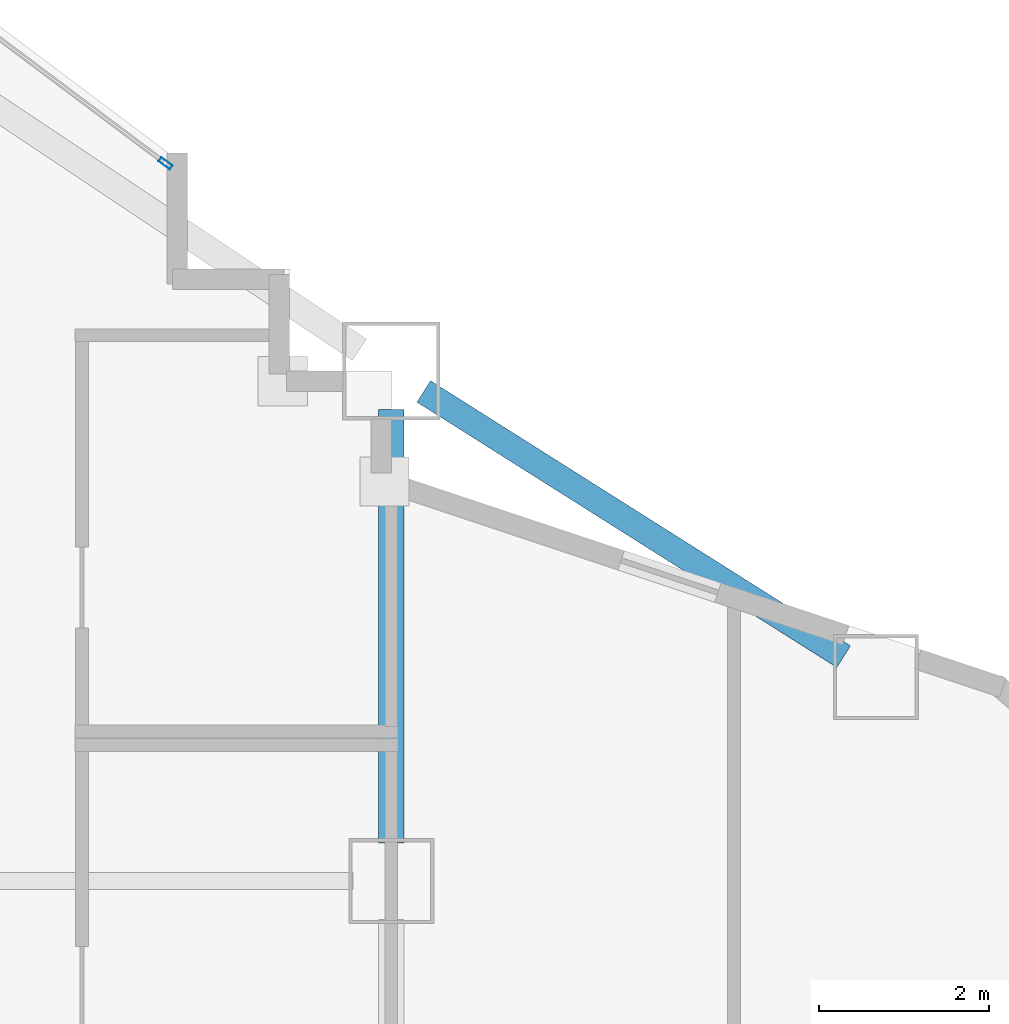
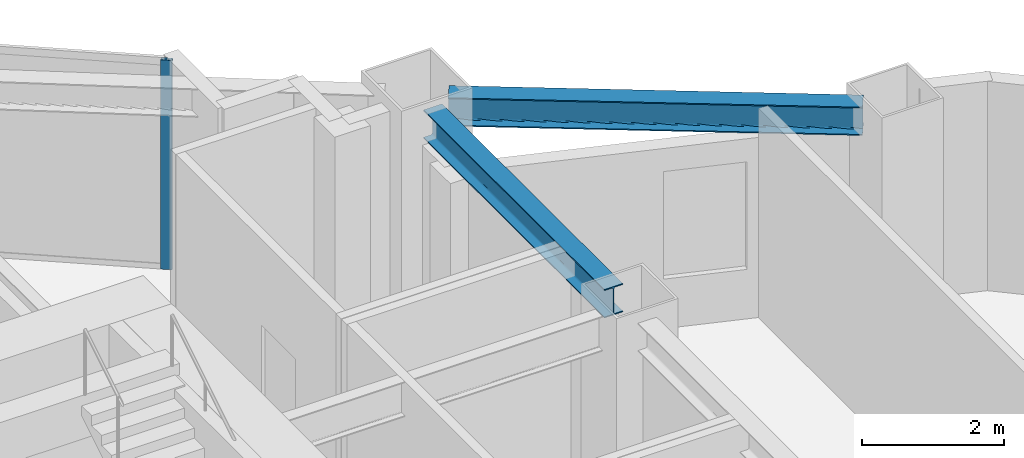
# One storey, part 4 of 18: 2 beams, 1 member, 1 element without a shape of its own.
"""IFC4 building model written with IfcOpenShell, lengths in metres."""

from ifc_helpers import new_model, si_unit, direction, frame, origin, origin_2d, place, context, subcontext, project, spatial, hollow_rectangle, i_section, extrude, material, layer, layer_set, material_profile, profile_set, type_object, element, aggregate, save


model = new_model("IFC4")

# Units and contexts
model_context = context("Model", 3, precision=1e-05, world=origin(), true_north=direction((0.0, 1.0)))
body_context = subcontext(model_context, "Body", "Model", "MODEL_VIEW")
ifc_project = project(units=[si_unit("LENGTHUNIT", "METRE"), si_unit("AREAUNIT", "SQUARE_METRE"), si_unit("VOLUMEUNIT", "CUBIC_METRE"), si_unit("PLANEANGLEUNIT", "RADIAN"), si_unit("MASSUNIT", "GRAM", prefix="KILO")], contexts=[model_context])

# Site, building, storey
site_placement = place(None, origin())
site = spatial("IfcSite", under=ifc_project, at=site_placement, CompositionType="ELEMENT")
building_placement = place(site_placement, origin())
building = spatial("IfcBuilding", under=site, at=building_placement, Name="Haolan Belvedere Tower", CompositionType="ELEMENT")
storey_placement = place(building_placement, frame((0.0, 0.0, 51.39990234375)))
storey = spatial("IfcBuildingStorey", under=building, at=storey_placement, Name="L12", CompositionType="ELEMENT", Elevation=51.39990234375)

# Beams
ifc_material_1 = material(Name="Steel Q355B", Category="steel")
ifc_material_profile_1 = material_profile(ifc_material_1, i_section(OverallWidth=0.300048828125, OverallDepth=0.488037109375, WebThickness=0.010986328125, FlangeThickness=0.01806640625, FilletRadius=0.02587890625, at=origin_2d()), Name="Steel Q355B")
ifc_profile_set_1 = profile_set([ifc_material_profile_1], Name="Steel Q355B")
beam_type = type_object("IfcBeamType", Name="BM-HM488x300x11x18", PredefinedType="SPANDREL", material=ifc_profile_set_1)
beam_1_placement = place(storey_placement, frame((52.800048828125, 40.050048828125, 3.356201171875), z_axis=(0.0, 1.0, 0.0), x_axis=(-1.0, 0.0, 0.0)))
element("IfcBeam", 1, at=beam_1_placement, inside=storey, type_object=beam_type, Name="L12 spandrel girder TC-T3-E2-MC-T3-NE", PredefinedType="SPANDREL", context=body_context, shape_type="SweptSolid", body=[
    extrude(i_section(OverallWidth=0.300048828125, OverallDepth=0.488037109375, WebThickness=0.010986328125, FlangeThickness=0.01806640625, FilletRadius=0.02587890625, at=origin_2d()), origin(), (0.0, 0.0, 1.0), 5.099853515625),
])
beam_2_placement = place(storey_placement, frame((53.180419921875, 45.359619140625, 3.356201171875), z_axis=(0.845497840649, -0.533978839898, 0.0), x_axis=(0.533978839898, 0.845497840649, 0.0)))
element("IfcBeam", 2, at=beam_2_placement, inside=storey, type_object=beam_type, Name="L12 spandrel girder MC-T3-NE-TC-T4-N1", PredefinedType="SPANDREL", context=body_context, shape_type="SweptSolid", body=[
    extrude(i_section(OverallWidth=0.300048828125, OverallDepth=0.488037109375, WebThickness=0.010986328125, FlangeThickness=0.01806640625, FilletRadius=0.02587890625, at=origin_2d()), origin(), (0.0, 0.0, 1.0), 5.841796875),
])

# Curtain wall, member
ifc_material_2 = material(Name="Anodised champagne-silver aluminium 6063-T6 and Low-E glass", Category="aluminium")
ifc_layer = layer(ifc_material_2, 0.1650390625, Name="Anodised champagne-silver aluminium 6063-T6 and Low-E glass")
ifc_layer_set = layer_set([ifc_layer], Name="Anodised champagne-silver aluminium 6063-T6 and Low-E glass")
curtain_wall_type = type_object("IfcCurtainWallType", Name="CW-SYS-02", PredefinedType="NOTDEFINED", material=ifc_layer_set)
curtain_wall_placement = place(storey_placement, origin())
curtain_wall = element("IfcCurtainWall", 3, at=curtain_wall_placement, inside=storey, type_object=curtain_wall_type, Name="L12 CW-SYS-02 ribbon curtain wall 41.1", PredefinedType="NOTDEFINED")
ifc_material_3 = material(Name="Anodised aluminium 6063-T6", Category="aluminium")
ifc_material_profile_2 = material_profile(ifc_material_3, hollow_rectangle(XDim=0.06005859375, YDim=0.1650390625, WallThickness=0.00390625, at=origin_2d()), Name="Anodised aluminium 6063-T6")
ifc_profile_set_2 = profile_set([ifc_material_profile_2], Name="Anodised aluminium 6063-T6")
member_type = type_object("IfcMemberType", Name="CW-SYS-02-MUL", PredefinedType="MULLION", material=ifc_profile_set_2)
member_placement = place(storey_placement, frame((50.14404296875, 48.0419921875, 0.0), z_axis=(0.0, 0.0, 1.0), x_axis=(-0.599994316874, -0.800004262313, 0.0)))
member = element("IfcMember", 4, at=member_placement, type_object=member_type, Name="CW-02 mullion 1", PredefinedType="MULLION", context=body_context, shape_type="SweptSolid", body=[
    extrude(hollow_rectangle(XDim=0.06005859375, YDim=0.1650390625, WallThickness=0.00390625, at=origin_2d()), origin(), (0.0, 0.0, 1.0), 3.60009765625),
])
aggregate(curtain_wall, [member])

save(model, "model.ifc")
